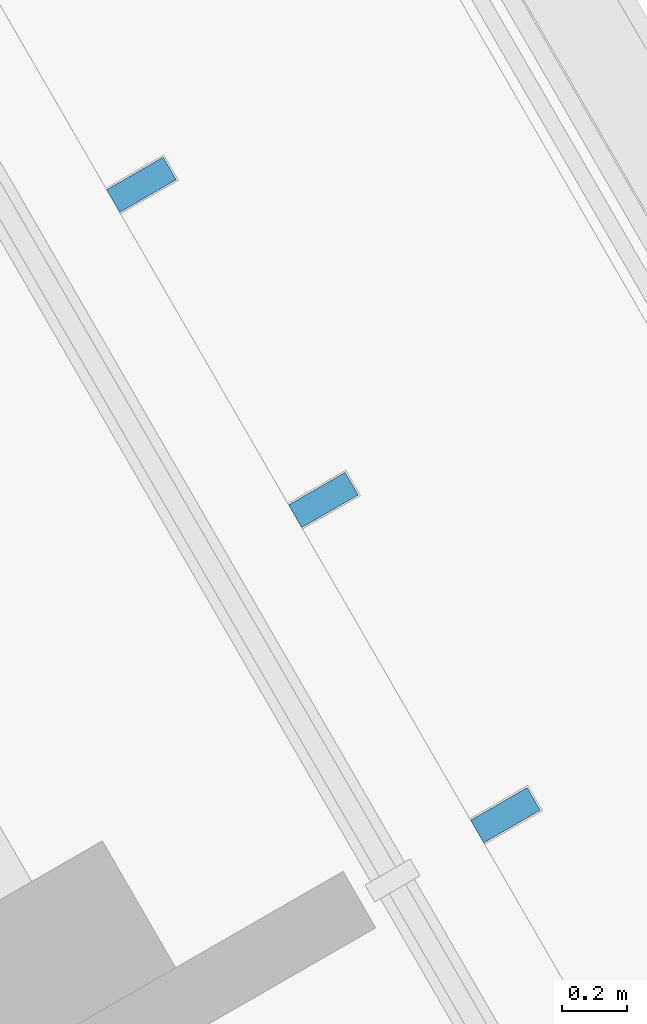
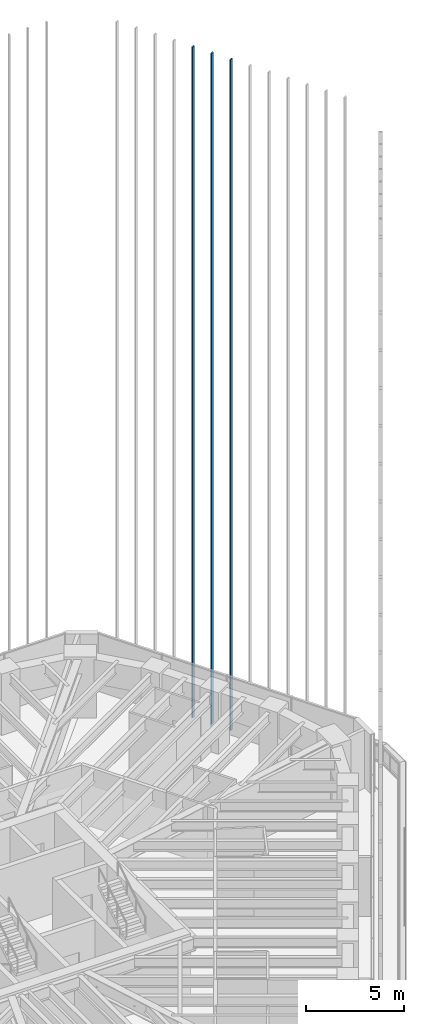
# One storey, part 118 of 127: 3 members, 1 element without a shape of its own.
"""IFC4 building model written with IfcOpenShell, lengths in metres."""

from ifc_helpers import new_model, si_unit, direction, frame, origin, origin_2d, place, context, subcontext, project, spatial, rectangle, extrude, material, material_profile, profile_set, type_object, element, aggregate, save


model = new_model("IFC4")

# Units and contexts
model_context = context("Model", 3, precision=1e-05, world=origin(), true_north=direction((0.0, 1.0)))
body_context = subcontext(model_context, "Body", "Model", "MODEL_VIEW")
ifc_project = project(units=[si_unit("LENGTHUNIT", "METRE"), si_unit("AREAUNIT", "SQUARE_METRE"), si_unit("VOLUMEUNIT", "CUBIC_METRE"), si_unit("PLANEANGLEUNIT", "RADIAN"), si_unit("MASSUNIT", "GRAM", prefix="KILO")], contexts=[model_context])

# Site, building, storey
site_placement = place(None, origin())
site = spatial("IfcSite", under=ifc_project, at=site_placement, CompositionType="ELEMENT")
building_placement = place(site_placement, origin())
building = spatial("IfcBuilding", under=site, at=building_placement, Name="Sandreach Pilgrim Tower", CompositionType="ELEMENT")
storey_placement = place(building_placement, frame((0.0, 0.0, 257.0)))
storey = spatial("IfcBuildingStorey", under=building, at=storey_placement, Name="L64", CompositionType="ELEMENT", Elevation=257.0)

# Curtain wall, members
ifc_material_1 = material(Name="Aluminium framed curtain wall", Category="aluminium")
curtain_wall_type = type_object("IfcCurtainWallType", Name="Suite tower curtain wall", PredefinedType="NOTDEFINED", material=ifc_material_1)
curtain_wall_placement = place(storey_placement, origin())
curtain_wall = element("IfcCurtainWall", 1, at=curtain_wall_placement, inside=storey, type_object=curtain_wall_type, Name="CW-4 L64 NE", PredefinedType="NOTDEFINED")
ifc_material_2 = material(Name="Extruded terracotta on aluminium core", Category="masonry")
ifc_material_profile = material_profile(ifc_material_2, rectangle(XDim=0.080078125, YDim=0.199951171875, at=origin_2d()), Name="TBE 80X200")
ifc_profile_set = profile_set([ifc_material_profile], Name="Extruded terracotta on aluminium core")
member_type = type_object("IfcMemberType", Name="Terracotta baguette east", PredefinedType="USERDEFINED", material=ifc_profile_set)
member_1_placement = place(storey_placement, frame((20.7578125, 14.5625, 0.0), z_axis=(0.0, 0.0, 1.0), x_axis=(0.5, -0.866025403784, 0.0)))
member_1 = element("IfcMember", 2, at=member_1_placement, type_object=member_type, Name="Baguette Z4 NE05", ObjectType="BAGUETTE", PredefinedType="USERDEFINED", context=body_context, shape_type="SweptSolid", body=[
    extrude(rectangle(XDim=0.080078125, YDim=0.199951171875, at=origin_2d()), origin(), (0.0, 0.0, 1.0), 41.639892578125),
])
member_2_placement = place(storey_placement, frame((21.31591796875, 13.595703125, 0.0), z_axis=(0.0, 0.0, 1.0), x_axis=(0.5, -0.866025403784, 0.0)))
member_2 = element("IfcMember", 3, at=member_2_placement, type_object=member_type, Name="Baguette Z4 NE06", ObjectType="BAGUETTE", PredefinedType="USERDEFINED", context=body_context, shape_type="SweptSolid", body=[
    extrude(rectangle(XDim=0.080078125, YDim=0.199951171875, at=origin_2d()), origin(), (0.0, 0.0, 1.0), 41.639892578125),
])
member_3_placement = place(storey_placement, frame((21.8740234375, 12.62890625, 0.0), z_axis=(0.0, 0.0, 1.0), x_axis=(0.5, -0.866025403784, 0.0)))
member_3 = element("IfcMember", 4, at=member_3_placement, type_object=member_type, Name="Baguette Z4 NE07", ObjectType="BAGUETTE", PredefinedType="USERDEFINED", context=body_context, shape_type="SweptSolid", body=[
    extrude(rectangle(XDim=0.080078125, YDim=0.199951171875, at=origin_2d()), origin(), (0.0, 0.0, 1.0), 41.639892578125),
])
aggregate(curtain_wall, [member_1, member_2, member_3])

save(model, "model.ifc")
